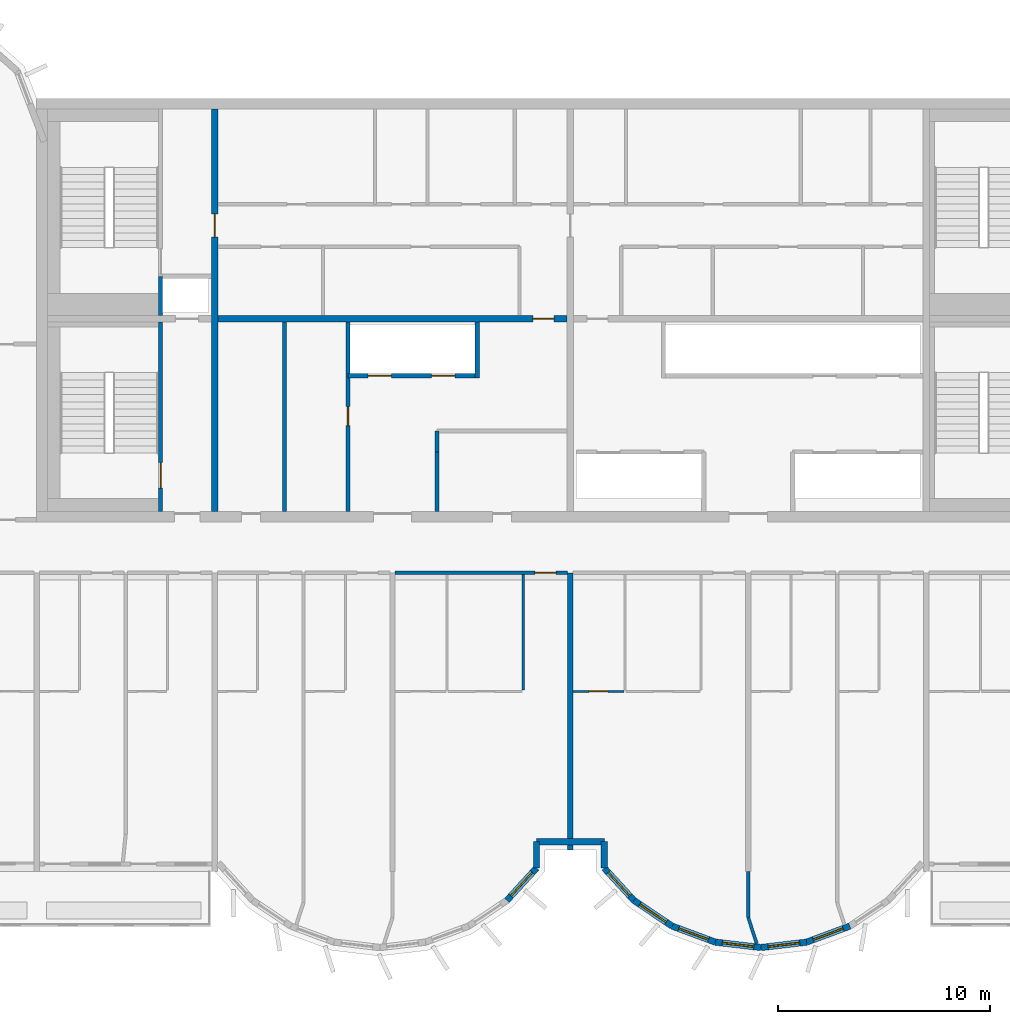
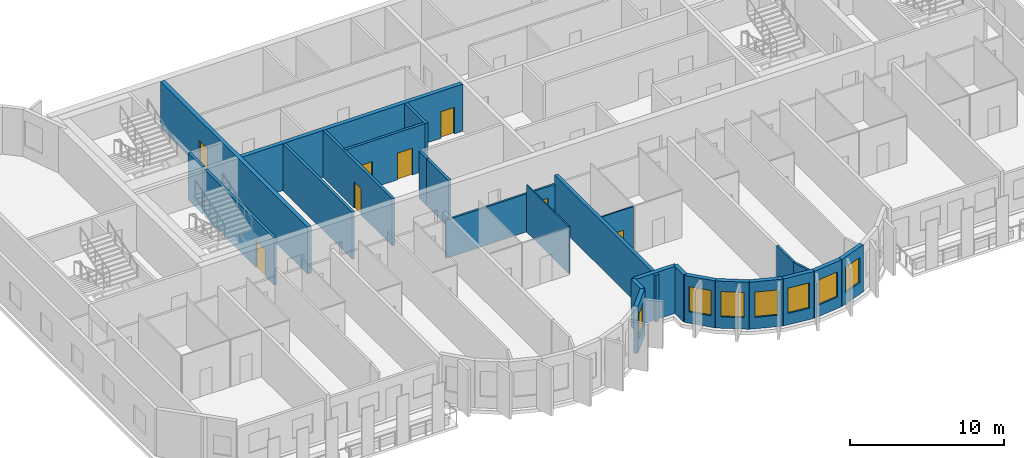
# One storey, part 4 of 12: 26 walls, 8 doors, 7 windows, 15 openings.
"""IFC4 building model written with IfcOpenShell, lengths in metres."""

from ifc_helpers import new_model, si_unit, direction, frame, frame_2d, origin, place, context, subcontext, project, spatial, rectangle, extrude, source, transform, mapped, material, layer, layer_set, type_object, element, fill, save


model = new_model("IFC4")

# Units and contexts
model_context = context("Model", 3, precision=1e-05, world=origin(), true_north=direction((0.0, 1.0)))
body_context = subcontext(model_context, "Body", "Model", "MODEL_VIEW")
ifc_project = project(units=[si_unit("LENGTHUNIT", "METRE"), si_unit("AREAUNIT", "SQUARE_METRE"), si_unit("VOLUMEUNIT", "CUBIC_METRE"), si_unit("PLANEANGLEUNIT", "RADIAN"), si_unit("MASSUNIT", "GRAM", prefix="KILO")], contexts=[model_context])

# Site, building, storey
site_placement = place(None, origin())
site = spatial("IfcSite", under=ifc_project, at=site_placement, CompositionType="ELEMENT")
building_placement = place(site_placement, origin())
building = spatial("IfcBuilding", under=site, at=building_placement, Name="Vanashikhar Sky Hotel", CompositionType="ELEMENT")
storey_placement = place(building_placement, frame((0.0, 0.0, 289.699951171875)))
storey = spatial("IfcBuildingStorey", under=building, at=storey_placement, Name="L69", CompositionType="ELEMENT", Elevation=289.699951171875)

# Wall, opening, door
ifc_material_1 = material(Name="Concrete M50", Category="concrete")
ifc_layer_1 = layer(ifc_material_1, 0.300048828125)
ifc_layer_set_1 = layer_set([ifc_layer_1], Name="RC core inner wall 300 Concrete M50")
wall_type_1 = type_object("IfcWallType", Name="RC core inner wall 300 Concrete M50", PredefinedType="SHEAR", material=ifc_layer_set_1)
shared_shape_1 = source(origin(), body_context, "Body", "SweptSolid", [
    extrude(rectangle(XDim=19.0, YDim=0.300048828125, at=frame_2d((9.5, 0.0))), origin(), (0.0, 0.0, 1.0), 3.719970703125),
])
wall_1_placement = place(storey_placement, frame((33.60009765625, 22.5, 0.0), z_axis=(0.0, 0.0, 1.0), x_axis=(0.0, 1.0, 0.0)))
wall_1 = element("IfcWall", 1, at=wall_1_placement, inside=storey, type_object=wall_type_1, Name="KW-L69-KX1", PredefinedType="SHEAR", context=body_context, shape_type="MappedRepresentation", body=[
    mapped(shared_shape_1, transform((0.0, 0.0, 0.0), scale=1.0)),
])
shared_shape_2 = source(origin(), body_context, "Body", "SweptSolid", [
    extrude(rectangle(XDim=1.10009765625, YDim=2.10009765625, at=frame_2d((0.550048828125, 1.050048828125))), frame((0.0, 0.16015625, 0.0), z_axis=(0.0, -1.0, 0.0), x_axis=(1.0, 0.0, 0.0)), (0.0, 0.0, 1.0), 0.320068359375),
])
opening_1_placement = place(wall_1_placement, frame((12.949951171875, 0.0, 0.0)))
opening_1 = element("IfcOpeningElement", 2, at=opening_1_placement, cuts=wall_1, Name="Opening DC-4-C", PredefinedType="OPENING", context=body_context, shape_type="MappedRepresentation", body=[
    mapped(shared_shape_2, transform((0.0, 0.0, 0.0), scale=1.0)),
])
ifc_material_2 = material(Name="Steel", Category="steel")
door_type_1 = type_object("IfcDoorType", Name="Service door 1100 FD60", OperationType="NOTDEFINED", PredefinedType="DOOR", material=ifc_material_2)
shared_shape_3 = source(origin(), body_context, "Body", "SweptSolid", [
    extrude(rectangle(XDim=1.10009765625, YDim=2.10009765625, at=frame_2d((0.550048828125, 1.050048828125))), frame((0.0, 0.02490234375, 0.0), z_axis=(0.0, -1.0, 0.0), x_axis=(1.0, 0.0, 0.0)), (0.0, 0.0, 1.0), 0.050048828125),
])
door_1_placement = place(opening_1_placement, origin())
door_1 = element("IfcDoor", 3, at=door_1_placement, inside=storey, type_object=door_type_1, Name="Service door 1100 FD60", OperationType="SINGLE_SWING_LEFT", OverallHeight=2.10009765625, OverallWidth=1.10009765625, PredefinedType="DOOR", context=body_context, shape_type="MappedRepresentation", body=[
    mapped(shared_shape_3, transform((0.0, 0.0, 0.0), scale=1.0)),
])
fill(opening_1, door_1)

shared_shape_4 = source(origin(), body_context, "Body", "SweptSolid", [
    extrude(rectangle(XDim=16.5, YDim=0.300048828125, at=frame_2d((8.25, 0.0))), origin(), (0.0, 0.0, 1.0), 3.719970703125),
])
wall_2_placement = place(storey_placement, frame((33.75, 31.60009765625, 0.0), z_axis=(0.0, 0.0, 1.0), x_axis=(1.0, 0.0, 0.0)))
wall_2 = element("IfcWall", 4, at=wall_2_placement, inside=storey, type_object=wall_type_1, Name="KW-L69-KY2", PredefinedType="SHEAR", context=body_context, shape_type="MappedRepresentation", body=[
    mapped(shared_shape_4, transform((0.0, 0.0, 0.0), scale=1.0)),
])
shared_shape_5 = source(origin(), body_context, "Body", "SweptSolid", [
    extrude(rectangle(XDim=1.0, YDim=2.10009765625, at=frame_2d((0.5, 1.050048828125))), frame((0.0, 0.16015625, 0.0), z_axis=(0.0, -1.0, 0.0), x_axis=(1.0, 0.0, 0.0)), (0.0, 0.0, 1.0), 0.320068359375),
])
opening_2_placement = place(wall_2_placement, frame((14.875, 0.0, 0.0)))
opening_2 = element("IfcOpeningElement", 5, at=opening_2_placement, cuts=wall_2, Name="Opening DC-4", PredefinedType="OPENING", context=body_context, shape_type="MappedRepresentation", body=[
    mapped(shared_shape_5, transform((0.0, 0.0, 0.0), scale=1.0)),
])
door_type_2 = type_object("IfcDoorType", Name="Service door 1000 FD60", OperationType="NOTDEFINED", PredefinedType="DOOR", material=ifc_material_2)
shared_shape_6 = source(origin(), body_context, "Body", "SweptSolid", [
    extrude(rectangle(XDim=1.0, YDim=2.10009765625, at=frame_2d((0.5, 1.050048828125))), frame((0.0, 0.02490234375, 0.0), z_axis=(0.0, -1.0, 0.0), x_axis=(1.0, 0.0, 0.0)), (0.0, 0.0, 1.0), 0.050048828125),
])
door_2_placement = place(opening_2_placement, origin())
door_2 = element("IfcDoor", 6, at=door_2_placement, inside=storey, type_object=door_type_2, Name="Service door 1000 FD60", OperationType="SINGLE_SWING_LEFT", OverallHeight=2.10009765625, OverallWidth=1.0, PredefinedType="DOOR", context=body_context, shape_type="MappedRepresentation", body=[
    mapped(shared_shape_6, transform((0.0, 0.0, 0.0), scale=1.0)),
])
fill(opening_2, door_2)

# Wall
ifc_layer_2 = layer(ifc_material_1, 0.25)
ifc_layer_set_2 = layer_set([ifc_layer_2], Name="RC shear wall 250 Concrete M50")
wall_type_2 = type_object("IfcWallType", Name="RC shear wall 250 Concrete M50", PredefinedType="SHEAR", material=ifc_layer_set_2)
shared_shape_7 = source(origin(), body_context, "Body", "SweptSolid", [
    extrude(rectangle(XDim=13.10009765625, YDim=0.25, at=frame_2d((6.550048828125, 0.0))), origin(), (0.0, 0.0, 1.0), 3.719970703125),
])
wall_3_placement = place(storey_placement, frame((50.39990234375, 6.5, 0.0), z_axis=(0.0, 0.0, 1.0), x_axis=(0.0, 1.0, 0.0)))
element("IfcWall", 7, at=wall_3_placement, inside=storey, type_object=wall_type_2, Name="CW-L69-XW07-1", PredefinedType="SHEAR", context=body_context, shape_type="MappedRepresentation", body=[
    mapped(shared_shape_7, transform((0.0, 0.0, 0.0), scale=1.0)),
])

# Wall, opening, window
ifc_layer_3 = layer(ifc_material_1, 0.300048828125)
ifc_layer_set_3 = layer_set([ifc_layer_3], Name="Lobe wall 300")
wall_type_3 = type_object("IfcWallType", Name="Lobe wall 300", PredefinedType="SOLIDWALL", material=ifc_layer_set_3)
shared_shape_8 = source(origin(), body_context, "Body", "SweptSolid", [
    extrude(rectangle(XDim=2.17578125, YDim=0.300048828125, at=frame_2d((1.087890625, 0.0))), origin(), (0.0, 0.0, 1.0), 3.719970703125),
])
wall_4_placement = place(storey_placement, frame((53.395751953125, 4.13134765625, 0.0), z_axis=(0.0, 0.0, 1.0), x_axis=(0.829590746428, -0.558371913192, 0.0)))
wall_4 = element("IfcWall", 8, at=wall_4_placement, inside=storey, type_object=wall_type_3, Name="Lobe wall", PredefinedType="SOLIDWALL", context=body_context, shape_type="MappedRepresentation", body=[
    mapped(shared_shape_8, transform((0.0, 0.0, 0.0), scale=1.0)),
])
shared_shape_9 = source(origin(), body_context, "Body", "SweptSolid", [
    extrude(rectangle(XDim=1.5, YDim=2.0, at=frame_2d((0.75, 1.0))), frame((0.0, 0.16015625, 0.0), z_axis=(0.0, -1.0, 0.0), x_axis=(1.0, 0.0, 0.0)), (0.0, 0.0, 1.0), 0.320068359375),
])
opening_3_placement = place(wall_4_placement, frame((0.337890625, 0.0, 0.89990234375)))
opening_3 = element("IfcOpeningElement", 9, at=opening_3_placement, cuts=wall_4, Name="Opening WN-2", PredefinedType="OPENING", context=body_context, shape_type="MappedRepresentation", body=[
    mapped(shared_shape_9, transform((0.0, 0.0, 0.0), scale=1.0)),
])
ifc_material_3 = material(Name="Glass", Category="glass")
window_type = type_object("IfcWindowType", Name="Lobe window 1500 x 2000", PartitioningType="SINGLE_PANEL", PredefinedType="WINDOW", material=ifc_material_3)
shared_shape_10 = source(origin(), body_context, "Body", "SweptSolid", [
    extrude(rectangle(XDim=1.5, YDim=2.0, at=frame_2d((0.75, 1.0))), frame((0.0, 0.030029296875, 0.0), z_axis=(0.0, -1.0, 0.0), x_axis=(1.0, 0.0, 0.0)), (0.0, 0.0, 1.0), 0.06005859375),
])
window_1_placement = place(opening_3_placement, origin())
window_1 = element("IfcWindow", 10, at=window_1_placement, inside=storey, type_object=window_type, Name="Window WN-2", OverallHeight=2.0, OverallWidth=1.5, PartitioningType="SINGLE_PANEL", PredefinedType="WINDOW", context=body_context, shape_type="MappedRepresentation", body=[
    mapped(shared_shape_10, transform((0.0, 0.0, 0.0), scale=1.0)),
])
fill(opening_3, window_1)

wall_5_placement = place(storey_placement, frame((55.20068359375, 2.91650390625, 0.0), z_axis=(0.0, 0.0, 1.0), x_axis=(0.93754555999, -0.347862505801, 0.0)))
wall_5 = element("IfcWall", 11, at=wall_5_placement, inside=storey, type_object=wall_type_3, Name="Lobe wall", PredefinedType="SOLIDWALL", context=body_context, shape_type="MappedRepresentation", body=[
    mapped(shared_shape_8, transform((0.0, 0.0, 0.0), scale=1.0)),
])
opening_4_placement = place(wall_5_placement, frame((0.337890625, 0.0, 0.89990234375)))
opening_4 = element("IfcOpeningElement", 12, at=opening_4_placement, cuts=wall_5, Name="Opening WN-2", PredefinedType="OPENING", context=body_context, shape_type="MappedRepresentation", body=[
    mapped(shared_shape_9, transform((0.0, 0.0, 0.0), scale=1.0)),
])
window_2_placement = place(opening_4_placement, origin())
window_2 = element("IfcWindow", 13, at=window_2_placement, inside=storey, type_object=window_type, Name="Window WN-2", OverallHeight=2.0, OverallWidth=1.5, PartitioningType="SINGLE_PANEL", PredefinedType="WINDOW", context=body_context, shape_type="MappedRepresentation", body=[
    mapped(shared_shape_10, transform((0.0, 0.0, 0.0), scale=1.0)),
])
fill(opening_4, window_2)

shared_shape_11 = source(origin(), body_context, "Body", "SweptSolid", [
    extrude(rectangle(XDim=2.174560546875, YDim=0.300048828125, at=frame_2d((1.08740234375, 0.0))), origin(), (0.0, 0.0, 1.0), 3.719970703125),
])
wall_6_placement = place(storey_placement, frame((57.240478515625, 2.15966796875, 0.0), z_axis=(0.0, 0.0, 1.0), x_axis=(0.993001132889, -0.118104826659, 0.0)))
wall_6 = element("IfcWall", 14, at=wall_6_placement, inside=storey, type_object=wall_type_3, Name="Lobe wall", PredefinedType="SOLIDWALL", context=body_context, shape_type="MappedRepresentation", body=[
    mapped(shared_shape_11, transform((0.0, 0.0, 0.0), scale=1.0)),
])
opening_5_placement = place(wall_6_placement, frame((0.33740234375, 0.0, 0.89990234375)))
opening_5 = element("IfcOpeningElement", 15, at=opening_5_placement, cuts=wall_6, Name="Opening WN-2", PredefinedType="OPENING", context=body_context, shape_type="MappedRepresentation", body=[
    mapped(shared_shape_9, transform((0.0, 0.0, 0.0), scale=1.0)),
])
window_3_placement = place(opening_5_placement, origin())
window_3 = element("IfcWindow", 16, at=window_3_placement, inside=storey, type_object=window_type, Name="Window WN-2", OverallHeight=2.0, OverallWidth=1.5, PartitioningType="SINGLE_PANEL", PredefinedType="WINDOW", context=body_context, shape_type="MappedRepresentation", body=[
    mapped(shared_shape_10, transform((0.0, 0.0, 0.0), scale=1.0)),
])
fill(opening_5, window_3)

shared_shape_12 = source(origin(), body_context, "Body", "SweptSolid", [
    extrude(rectangle(XDim=2.1748046875, YDim=0.300048828125, at=frame_2d((1.08740234375, 0.0))), origin(), (0.0, 0.0, 1.0), 3.719970703125),
])
wall_7_placement = place(storey_placement, frame((59.39990234375, 1.90283203125, 0.0), z_axis=(0.0, 0.0, 1.0), x_axis=(0.993002698611, 0.118091661648, 0.0)))
wall_7 = element("IfcWall", 17, at=wall_7_placement, inside=storey, type_object=wall_type_3, Name="Lobe wall", PredefinedType="SOLIDWALL", context=body_context, shape_type="MappedRepresentation", body=[
    mapped(shared_shape_12, transform((0.0, 0.0, 0.0), scale=1.0)),
])
opening_6_placement = place(wall_7_placement, frame((0.33740234375, 0.0, 0.89990234375)))
opening_6 = element("IfcOpeningElement", 18, at=opening_6_placement, cuts=wall_7, Name="Opening WN-2", PredefinedType="OPENING", context=body_context, shape_type="MappedRepresentation", body=[
    mapped(shared_shape_9, transform((0.0, 0.0, 0.0), scale=1.0)),
])
window_4_placement = place(opening_6_placement, origin())
window_4 = element("IfcWindow", 19, at=window_4_placement, inside=storey, type_object=window_type, Name="Window WN-2", OverallHeight=2.0, OverallWidth=1.5, PartitioningType="SINGLE_PANEL", PredefinedType="WINDOW", context=body_context, shape_type="MappedRepresentation", body=[
    mapped(shared_shape_10, transform((0.0, 0.0, 0.0), scale=1.0)),
])
fill(opening_6, window_4)

shared_shape_13 = source(origin(), body_context, "Body", "SweptSolid", [
    extrude(rectangle(XDim=2.175537109375, YDim=0.300048828125, at=frame_2d((1.087890625, 0.0))), origin(), (0.0, 0.0, 1.0), 3.719970703125),
])
wall_8_placement = place(storey_placement, frame((61.5595703125, 2.15966796875, 0.0), z_axis=(0.0, 0.0, 1.0), x_axis=(0.937531979054, 0.347899106424, 0.0)))
wall_8 = element("IfcWall", 20, at=wall_8_placement, inside=storey, type_object=wall_type_3, Name="Lobe wall", PredefinedType="SOLIDWALL", context=body_context, shape_type="MappedRepresentation", body=[
    mapped(shared_shape_13, transform((0.0, 0.0, 0.0), scale=1.0)),
])
opening_7_placement = place(wall_8_placement, frame((0.337890625, 0.0, 0.89990234375)))
opening_7 = element("IfcOpeningElement", 21, at=opening_7_placement, cuts=wall_8, Name="Opening WN-2", PredefinedType="OPENING", context=body_context, shape_type="MappedRepresentation", body=[
    mapped(shared_shape_9, transform((0.0, 0.0, 0.0), scale=1.0)),
])
window_5_placement = place(opening_7_placement, origin())
window_5 = element("IfcWindow", 22, at=window_5_placement, inside=storey, type_object=window_type, Name="Window WN-2", OverallHeight=2.0, OverallWidth=1.5, PartitioningType="SINGLE_PANEL", PredefinedType="WINDOW", context=body_context, shape_type="MappedRepresentation", body=[
    mapped(shared_shape_10, transform((0.0, 0.0, 0.0), scale=1.0)),
])
fill(opening_7, window_5)

shared_shape_14 = source(origin(), body_context, "Body", "SweptSolid", [
    extrude(rectangle(XDim=2.066650390625, YDim=0.300048828125, at=frame_2d((1.033203125, 0.0))), origin(), (0.0, 0.0, 1.0), 3.719970703125),
])
wall_9_placement = place(storey_placement, frame((47.404296875, 4.13134765625, 0.0), z_axis=(0.0, 0.0, 1.0), x_axis=(0.675355439877, 0.737492393065, 0.0)))
wall_9 = element("IfcWall", 23, at=wall_9_placement, inside=storey, type_object=wall_type_3, Name="Lobe wall", PredefinedType="SOLIDWALL", context=body_context, shape_type="MappedRepresentation", body=[
    mapped(shared_shape_14, transform((0.0, 0.0, 0.0), scale=1.0)),
])
opening_8_placement = place(wall_9_placement, frame((0.283447265625, 0.0, 0.89990234375)))
opening_8 = element("IfcOpeningElement", 24, at=opening_8_placement, cuts=wall_9, Name="Opening WN-2", PredefinedType="OPENING", context=body_context, shape_type="MappedRepresentation", body=[
    mapped(shared_shape_9, transform((0.0, 0.0, 0.0), scale=1.0)),
])
window_6_placement = place(opening_8_placement, origin())
window_6 = element("IfcWindow", 25, at=window_6_placement, inside=storey, type_object=window_type, Name="Window WN-2", OverallHeight=2.0, OverallWidth=1.5, PartitioningType="SINGLE_PANEL", PredefinedType="WINDOW", context=body_context, shape_type="MappedRepresentation", body=[
    mapped(shared_shape_10, transform((0.0, 0.0, 0.0), scale=1.0)),
])
fill(opening_8, window_6)

wall_10_placement = place(storey_placement, frame((52.0, 5.655517578125, 0.0), z_axis=(0.0, 0.0, 1.0), x_axis=(0.675355439877, -0.737492393065, 0.0)))
wall_10 = element("IfcWall", 26, at=wall_10_placement, inside=storey, type_object=wall_type_3, Name="Lobe wall", PredefinedType="SOLIDWALL", context=body_context, shape_type="MappedRepresentation", body=[
    mapped(shared_shape_14, transform((0.0, 0.0, 0.0), scale=1.0)),
])
opening_9_placement = place(wall_10_placement, frame((0.283447265625, 0.0, 0.89990234375)))
opening_9 = element("IfcOpeningElement", 27, at=opening_9_placement, cuts=wall_10, Name="Opening WN-2", PredefinedType="OPENING", context=body_context, shape_type="MappedRepresentation", body=[
    mapped(shared_shape_9, transform((0.0, 0.0, 0.0), scale=1.0)),
])
window_7_placement = place(opening_9_placement, origin())
window_7 = element("IfcWindow", 28, at=window_7_placement, inside=storey, type_object=window_type, Name="Window WN-2", OverallHeight=2.0, OverallWidth=1.5, PartitioningType="SINGLE_PANEL", PredefinedType="WINDOW", context=body_context, shape_type="MappedRepresentation", body=[
    mapped(shared_shape_10, transform((0.0, 0.0, 0.0), scale=1.0)),
])
fill(opening_9, window_7)

# Walls
shared_shape_15 = source(origin(), body_context, "Body", "SweptSolid", [
    extrude(rectangle(XDim=1.244384765625, YDim=0.300048828125, at=frame_2d((0.6220703125, 0.0))), origin(), (0.0, 0.0, 1.0), 3.719970703125),
])
for number, where, z_axis, x_axis, name in (
    (29, (48.800048828125, 5.655517578125, 0.0), (0.0, 0.0, 1.0), (0.0, 1.0, 0.0), "Groove wall"),
    (30, (52.0, 6.89990234375, 0.0), (0.0, 0.0, 1.0), (0.0, -1.0, 0.0), "Groove wall"),
):
    element("IfcWall", number, at=place(storey_placement, frame(where, z_axis=z_axis, x_axis=x_axis)), inside=storey, type_object=wall_type_3, Name=name, PredefinedType="SOLIDWALL", context=body_context, shape_type="MappedRepresentation", body=[
        mapped(shared_shape_15, transform((0.0, 0.0, 0.0), scale=1.0)),
    ])
shared_shape_16 = source(origin(), body_context, "Body", "SweptSolid", [
    extrude(rectangle(XDim=3.199951171875, YDim=0.300048828125, at=frame_2d((1.60009765625, 0.0))), origin(), (0.0, 0.0, 1.0), 3.719970703125),
])
wall_11_placement = place(storey_placement, frame((48.800048828125, 6.89990234375, 0.0), z_axis=(0.0, 0.0, 1.0), x_axis=(1.0, 0.0, 0.0)))
element("IfcWall", 31, at=wall_11_placement, inside=storey, type_object=wall_type_3, Name="Groove wall", PredefinedType="SOLIDWALL", context=body_context, shape_type="MappedRepresentation", body=[
    mapped(shared_shape_16, transform((0.0, 0.0, 0.0), scale=1.0)),
])

# Wall, openings, doors
ifc_material_4 = material(Name="Concrete M40", Category="concrete")
ifc_layer_4 = layer(ifc_material_4, 0.199951171875)
ifc_layer_set_4 = layer_set([ifc_layer_4], Name="Shaft wall 200")
wall_type_4 = type_object("IfcWallType", Name="Shaft wall 200", PredefinedType="SOLIDWALL", material=ifc_layer_set_4)
shared_shape_17 = source(origin(), body_context, "Body", "SweptSolid", [
    extrude(rectangle(XDim=6.0, YDim=0.199951171875, at=frame_2d((3.0, 0.0))), origin(), (0.0, 0.0, 1.0), 3.719970703125),
])
wall_12_placement = place(storey_placement, frame((39.89990234375, 28.89990234375, 0.0), z_axis=(0.0, 0.0, 1.0), x_axis=(1.0, 0.0, 0.0)))
wall_12 = element("IfcWall", 32, at=wall_12_placement, inside=storey, type_object=wall_type_4, Name="Shaft wall 200", PredefinedType="SOLIDWALL", context=body_context, shape_type="MappedRepresentation", body=[
    mapped(shared_shape_17, transform((0.0, 0.0, 0.0), scale=1.0)),
])
shared_shape_18 = source(origin(), body_context, "Body", "SweptSolid", [
    extrude(rectangle(XDim=1.10009765625, YDim=2.10009765625, at=frame_2d((0.550048828125, 1.050048828125))), frame((0.0, 0.10986328125, 0.0), z_axis=(0.0, -1.0, 0.0), x_axis=(1.0, 0.0, 0.0)), (0.0, 0.0, 1.0), 0.219970703125),
])
opening_10_placement = place(wall_12_placement, frame((0.949951171875, 0.0, 0.0)))
opening_10 = element("IfcOpeningElement", 33, at=opening_10_placement, cuts=wall_12, Name="Opening LD", PredefinedType="OPENING", context=body_context, shape_type="MappedRepresentation", body=[
    mapped(shared_shape_18, transform((0.0, 0.0, 0.0), scale=1.0)),
])
opening_11_placement = place(wall_12_placement, frame((3.949951171875, 0.0, 0.0)))
opening_11 = element("IfcOpeningElement", 34, at=opening_11_placement, cuts=wall_12, Name="Opening LD", PredefinedType="OPENING", context=body_context, shape_type="MappedRepresentation", body=[
    mapped(shared_shape_18, transform((0.0, 0.0, 0.0), scale=1.0)),
])
ifc_material_5 = material(Name="Stainless steel", Category="steel")
door_type_3 = type_object("IfcDoorType", Name="Lift landing door 1100", OperationType="NOTDEFINED", PredefinedType="DOOR", material=ifc_material_5)
door_3_placement = place(opening_10_placement, origin())
door_3 = element("IfcDoor", 35, at=door_3_placement, inside=storey, type_object=door_type_3, Name="Lift landing door 1100", OperationType="SLIDING_TO_LEFT", OverallHeight=2.10009765625, OverallWidth=1.10009765625, PredefinedType="DOOR", context=body_context, shape_type="MappedRepresentation", body=[
    mapped(shared_shape_3, transform((0.0, 0.0, 0.0), scale=1.0)),
])
fill(opening_10, door_3)
door_4_placement = place(opening_11_placement, origin())
door_4 = element("IfcDoor", 36, at=door_4_placement, inside=storey, type_object=door_type_3, Name="Lift landing door 1100", OperationType="SLIDING_TO_RIGHT", OverallHeight=2.10009765625, OverallWidth=1.10009765625, PredefinedType="DOOR", context=body_context, shape_type="MappedRepresentation", body=[
    mapped(shared_shape_3, transform((0.0, 0.0, 0.0), scale=1.0)),
])
fill(opening_11, door_4)

# Wall, opening, door
ifc_material_6 = material(Name="Gypsum board partition")
ifc_layer_5 = layer(ifc_material_6, 0.14990234375)
ifc_layer_set_5 = layer_set([ifc_layer_5], Name="Service partition 150")
wall_type_5 = type_object("IfcWallType", Name="Service partition 150", PredefinedType="PARTITIONING", material=ifc_layer_set_5)
shared_shape_19 = source(origin(), body_context, "Body", "SweptSolid", [
    extrude(rectangle(XDim=8.949951171875, YDim=0.199951171875, at=frame_2d((4.47509765625, 0.0))), origin(), (0.0, 0.0, 1.0), 3.719970703125),
])
wall_13_placement = place(storey_placement, frame((39.89990234375, 22.5, 0.0), z_axis=(0.0, 0.0, 1.0), x_axis=(0.0, 1.0, 0.0)))
wall_13 = element("IfcWall", 37, at=wall_13_placement, inside=storey, type_object=wall_type_5, Name="Service partition 150", PredefinedType="PARTITIONING", context=body_context, shape_type="MappedRepresentation", body=[
    mapped(shared_shape_19, transform((0.0, 0.0, 0.0), scale=1.0)),
])
shared_shape_20 = source(origin(), body_context, "Body", "SweptSolid", [
    extrude(rectangle(XDim=0.89990234375, YDim=2.10009765625, at=frame_2d((0.449951171875, 1.050048828125))), frame((0.0, 0.10986328125, 0.0), z_axis=(0.0, -1.0, 0.0), x_axis=(1.0, 0.0, 0.0)), (0.0, 0.0, 1.0), 0.219970703125),
])
opening_12_placement = place(wall_13_placement, frame((4.050048828125, 0.0, 0.0)))
opening_12 = element("IfcOpeningElement", 38, at=opening_12_placement, cuts=wall_13, Name="Opening DC-4-A", PredefinedType="OPENING", context=body_context, shape_type="MappedRepresentation", body=[
    mapped(shared_shape_20, transform((0.0, 0.0, 0.0), scale=1.0)),
])
door_type_4 = type_object("IfcDoorType", Name="Service door 900 FD60", OperationType="NOTDEFINED", PredefinedType="DOOR", material=ifc_material_2)
shared_shape_21 = source(origin(), body_context, "Body", "SweptSolid", [
    extrude(rectangle(XDim=0.89990234375, YDim=2.10009765625, at=frame_2d((0.449951171875, 1.050048828125))), frame((0.0, 0.02490234375, 0.0), z_axis=(0.0, -1.0, 0.0), x_axis=(1.0, 0.0, 0.0)), (0.0, 0.0, 1.0), 0.050048828125),
])
door_5_placement = place(opening_12_placement, origin())
door_5 = element("IfcDoor", 39, at=door_5_placement, inside=storey, type_object=door_type_4, Name="Service door 900 FD60", OperationType="SINGLE_SWING_LEFT", OverallHeight=2.10009765625, OverallWidth=0.89990234375, PredefinedType="DOOR", context=body_context, shape_type="MappedRepresentation", body=[
    mapped(shared_shape_21, transform((0.0, 0.0, 0.0), scale=1.0)),
])
fill(opening_12, door_5)

# Walls
wall_14_placement = place(storey_placement, frame((36.89990234375, 22.5, 0.0), z_axis=(0.0, 0.0, 1.0), x_axis=(0.0, 1.0, 0.0)))
element("IfcWall", 40, at=wall_14_placement, inside=storey, type_object=wall_type_5, Name="Service partition 150", PredefinedType="PARTITIONING", context=body_context, shape_type="MappedRepresentation", body=[
    mapped(shared_shape_19, transform((0.0, 0.0, 0.0), scale=1.0)),
])
shared_shape_22 = source(origin(), body_context, "Body", "SweptSolid", [
    extrude(rectangle(XDim=2.800048828125, YDim=0.199951171875, at=frame_2d((1.39990234375, 0.0))), origin(), (0.0, 0.0, 1.0), 3.719970703125),
])
wall_15_placement = place(storey_placement, frame((44.10009765625, 22.5, 0.0), z_axis=(0.0, 0.0, 1.0), x_axis=(0.0, 1.0, 0.0)))
element("IfcWall", 41, at=wall_15_placement, inside=storey, type_object=wall_type_5, Name="Service partition 150", PredefinedType="PARTITIONING", context=body_context, shape_type="MappedRepresentation", body=[
    mapped(shared_shape_22, transform((0.0, 0.0, 0.0), scale=1.0)),
])
shared_shape_23 = source(origin(), body_context, "Body", "SweptSolid", [
    extrude(rectangle(XDim=2.64990234375, YDim=0.199951171875, at=frame_2d((1.324951171875, 0.0))), origin(), (0.0, 0.0, 1.0), 3.719970703125),
])
wall_16_placement = place(storey_placement, frame((46.0, 28.800048828125, 0.0), z_axis=(0.0, 0.0, 1.0), x_axis=(0.0, 1.0, 0.0)))
element("IfcWall", 42, at=wall_16_placement, inside=storey, type_object=wall_type_4, Name="Shaft wall 200", PredefinedType="SOLIDWALL", context=body_context, shape_type="MappedRepresentation", body=[
    mapped(shared_shape_23, transform((0.0, 0.0, 0.0), scale=1.0)),
])
shared_shape_24 = source(origin(), body_context, "Body", "SweptSolid", [
    extrude(rectangle(XDim=1.0, YDim=0.199951171875, at=frame_2d((0.5, 0.0))), origin(), (0.0, 0.0, 1.0), 3.719970703125),
])
wall_17_placement = place(storey_placement, frame((44.10009765625, 25.300048828125, 0.0), z_axis=(0.0, 0.0, 1.0), x_axis=(0.0, 1.0, 0.0)))
element("IfcWall", 43, at=wall_17_placement, inside=storey, type_object=wall_type_5, Name="Service partition 150", PredefinedType="PARTITIONING", context=body_context, shape_type="MappedRepresentation", body=[
    mapped(shared_shape_24, transform((0.0, 0.0, 0.0), scale=1.0)),
])

# Wall, opening, door
ifc_layer_6 = layer(ifc_material_1, 0.199951171875)
ifc_layer_set_6 = layer_set([ifc_layer_6], Name="Stair wall 200")
wall_type_6 = type_object("IfcWallType", Name="Stair wall 200", PredefinedType="SOLIDWALL", material=ifc_layer_set_6)
shared_shape_25 = source(origin(), body_context, "Body", "SweptSolid", [
    extrude(rectangle(XDim=8.949951171875, YDim=0.199951171875, at=frame_2d((4.47509765625, 0.0))), origin(), (0.0, 0.0, 1.0), 3.719970703125),
])
wall_18_placement = place(storey_placement, frame((31.050048828125, 22.5, 0.0), z_axis=(0.0, 0.0, 1.0), x_axis=(0.0, 1.0, 0.0)))
wall_18 = element("IfcWall", 44, at=wall_18_placement, inside=storey, type_object=wall_type_6, Name="Stair wall 200", PredefinedType="SOLIDWALL", context=body_context, shape_type="MappedRepresentation", body=[
    mapped(shared_shape_25, transform((0.0, 0.0, 0.0), scale=1.0)),
])
shared_shape_26 = source(origin(), body_context, "Body", "SweptSolid", [
    extrude(rectangle(XDim=1.199951171875, YDim=2.10009765625, at=frame_2d((0.60009765625, 1.050048828125))), frame((0.0, 0.10986328125, 0.0), z_axis=(0.0, -1.0, 0.0), x_axis=(1.0, 0.0, 0.0)), (0.0, 0.0, 1.0), 0.219970703125),
])
opening_13_placement = place(wall_18_placement, frame((1.10009765625, 0.0, 0.0)))
opening_13 = element("IfcOpeningElement", 45, at=opening_13_placement, cuts=wall_18, Name="Opening DC-1", PredefinedType="OPENING", context=body_context, shape_type="MappedRepresentation", body=[
    mapped(shared_shape_26, transform((0.0, 0.0, 0.0), scale=1.0)),
])
door_type_5 = type_object("IfcDoorType", Name="Stair door 1200 FD120", OperationType="NOTDEFINED", PredefinedType="DOOR", material=ifc_material_2)
shared_shape_27 = source(origin(), body_context, "Body", "SweptSolid", [
    extrude(rectangle(XDim=1.199951171875, YDim=2.10009765625, at=frame_2d((0.60009765625, 1.050048828125))), frame((0.0, 0.02490234375, 0.0), z_axis=(0.0, -1.0, 0.0), x_axis=(1.0, 0.0, 0.0)), (0.0, 0.0, 1.0), 0.050048828125),
])
door_6_placement = place(opening_13_placement, origin())
door_6 = element("IfcDoor", 46, at=door_6_placement, inside=storey, type_object=door_type_5, Name="Stair door 1200 FD120", OperationType="SINGLE_SWING_LEFT", OverallHeight=2.10009765625, OverallWidth=1.199951171875, PredefinedType="DOOR", context=body_context, shape_type="MappedRepresentation", body=[
    mapped(shared_shape_27, transform((0.0, 0.0, 0.0), scale=1.0)),
])
fill(opening_13, door_6)

# Wall
shared_shape_28 = source(origin(), body_context, "Body", "SweptSolid", [
    extrude(rectangle(XDim=1.85009765625, YDim=0.199951171875, at=frame_2d((0.925048828125, 0.0))), origin(), (0.0, 0.0, 1.0), 3.719970703125),
])
wall_19_placement = place(storey_placement, frame((31.050048828125, 31.75, 0.0), z_axis=(0.0, 0.0, 1.0), x_axis=(0.0, 1.0, 0.0)))
element("IfcWall", 47, at=wall_19_placement, inside=storey, type_object=wall_type_4, Name="Shaft wall 200", PredefinedType="SOLIDWALL", context=body_context, shape_type="MappedRepresentation", body=[
    mapped(shared_shape_28, transform((0.0, 0.0, 0.0), scale=1.0)),
])

# Wall, opening, door
ifc_material_7 = material(Name="Gypsum plasterboard partition")
ifc_layer_7 = layer(ifc_material_7, 0.14990234375)
ifc_layer_set_7 = layer_set([ifc_layer_7], Name="Corridor and demising partition 150")
wall_type_7 = type_object("IfcWallType", Name="Corridor and demising partition 150", PredefinedType="PARTITIONING", material=ifc_layer_set_7)
shared_shape_29 = source(origin(), body_context, "Body", "SweptSolid", [
    extrude(rectangle(XDim=8.14990234375, YDim=0.14990234375, at=frame_2d((4.074951171875, 0.0))), origin(), (0.0, 0.0, 1.0), 3.02001953125),
])
wall_20_placement = place(storey_placement, frame((42.125, 19.60009765625, 0.0), z_axis=(0.0, 0.0, 1.0), x_axis=(1.0, 0.0, 0.0)))
wall_20 = element("IfcWall", 48, at=wall_20_placement, inside=storey, type_object=wall_type_7, Name="W-L69-PW024", PredefinedType="PARTITIONING", context=body_context, shape_type="MappedRepresentation", body=[
    mapped(shared_shape_29, transform((0.0, 0.0, 0.0), scale=1.0)),
])
shared_shape_30 = source(origin(), body_context, "Body", "SweptSolid", [
    extrude(rectangle(XDim=1.0, YDim=2.10009765625, at=frame_2d((0.5, 1.050048828125))), frame((0.0, 0.0849609375, 0.0), z_axis=(0.0, -1.0, 0.0), x_axis=(1.0, 0.0, 0.0)), (0.0, 0.0, 1.0), 0.169921875),
])
opening_14_placement = place(wall_20_placement, frame((6.60009765625, 0.0, 0.0)))
opening_14 = element("IfcOpeningElement", 49, at=opening_14_placement, cuts=wall_20, Name="Opening D-01", PredefinedType="OPENING", context=body_context, shape_type="MappedRepresentation", body=[
    mapped(shared_shape_30, transform((0.0, 0.0, 0.0), scale=1.0)),
])
ifc_material_8 = material(Name="Timber fire door", Category="wood")
door_type_6 = type_object("IfcDoorType", Name="Guest entry door 1000 FD30S", OperationType="NOTDEFINED", PredefinedType="DOOR", material=ifc_material_8)
door_7_placement = place(opening_14_placement, origin())
door_7 = element("IfcDoor", 50, at=door_7_placement, inside=storey, type_object=door_type_6, Name="D-L69-014", OperationType="SINGLE_SWING_RIGHT", OverallHeight=2.10009765625, OverallWidth=1.0, PredefinedType="DOOR", context=body_context, shape_type="MappedRepresentation", body=[
    mapped(shared_shape_6, transform((0.0, 0.0, 0.0), scale=1.0)),
])
fill(opening_14, door_7)

# Walls
shared_shape_31 = source(origin(), body_context, "Body", "SweptSolid", [
    extrude(rectangle(XDim=2.177978515625, YDim=0.14990234375, at=frame_2d((1.0888671875, 0.0))), origin(), (0.0, 0.0, 1.0), 3.719970703125),
])
wall_21_placement = place(storey_placement, frame((58.800048828125, 3.322021484375, 0.0), z_axis=(0.0, 0.0, 1.0), x_axis=(0.0, 1.0, 0.0)))
element("IfcWall", 51, at=wall_21_placement, inside=storey, type_object=wall_type_7, Name="W-L69-PW048", PredefinedType="PARTITIONING", context=body_context, shape_type="MappedRepresentation", body=[
    mapped(shared_shape_31, transform((0.0, 0.0, 0.0), scale=1.0)),
])
shared_shape_32 = source(origin(), body_context, "Body", "SweptSolid", [
    extrude(rectangle(XDim=1.308349609375, YDim=0.14990234375, at=frame_2d((0.654296875, 0.0))), origin(), (0.0, 0.0, 1.0), 3.719970703125),
])
wall_22_placement = place(storey_placement, frame((59.201904296875, 2.076904296875, 0.0), z_axis=(0.0, 0.0, 1.0), x_axis=(-0.307144529633, 0.951662880392, 0.0)))
element("IfcWall", 52, at=wall_22_placement, inside=storey, type_object=wall_type_7, Name="W-L69-PW048B0", PredefinedType="PARTITIONING", context=body_context, shape_type="MappedRepresentation", body=[
    mapped(shared_shape_32, transform((0.0, 0.0, 0.0), scale=1.0)),
])
ifc_layer_8 = layer(ifc_material_7, 0.10009765625)
ifc_layer_set_8 = layer_set([ifc_layer_8], Name="Wet room partition 100")
wall_type_8 = type_object("IfcWallType", Name="Wet room partition 100", PredefinedType="PARTITIONING", material=ifc_layer_set_8)
shared_shape_33 = source(origin(), body_context, "Body", "SweptSolid", [
    extrude(rectangle(XDim=5.449951171875, YDim=0.10009765625, at=frame_2d((2.72509765625, 0.0))), origin(), (0.0, 0.0, 1.0), 3.719970703125),
])
wall_23_placement = place(storey_placement, frame((48.175048828125, 14.074951171875, 0.0), z_axis=(0.0, 0.0, 1.0), x_axis=(0.0, 1.0, 0.0)))
element("IfcWall", 53, at=wall_23_placement, inside=storey, type_object=wall_type_8, Name="W-L69-PW020", PredefinedType="PARTITIONING", context=body_context, shape_type="MappedRepresentation", body=[
    mapped(shared_shape_33, transform((0.0, 0.0, 0.0), scale=1.0)),
])

# Wall, opening, door
shared_shape_34 = source(origin(), body_context, "Body", "SweptSolid", [
    extrude(rectangle(XDim=2.400146484375, YDim=0.10009765625, at=frame_2d((1.2001953125, 0.0))), origin(), (0.0, 0.0, 1.0), 3.719970703125),
])
wall_24_placement = place(storey_placement, frame((50.52490234375, 14.0, 0.0), z_axis=(0.0, 0.0, 1.0), x_axis=(1.0, 0.0, 0.0)))
wall_24 = element("IfcWall", 54, at=wall_24_placement, inside=storey, type_object=wall_type_8, Name="W-L69-PW028", PredefinedType="PARTITIONING", context=body_context, shape_type="MappedRepresentation", body=[
    mapped(shared_shape_34, transform((0.0, 0.0, 0.0), scale=1.0)),
])
shared_shape_35 = source(origin(), body_context, "Body", "SweptSolid", [
    extrude(rectangle(XDim=0.89990234375, YDim=2.10009765625, at=frame_2d((0.449951171875, 1.050048828125))), frame((0.0, 0.06005859375, 0.0), z_axis=(0.0, -1.0, 0.0), x_axis=(1.0, 0.0, 0.0)), (0.0, 0.0, 1.0), 0.1201171875),
])
opening_15_placement = place(wall_24_placement, frame((0.75, 0.0, 0.0)))
opening_15 = element("IfcOpeningElement", 55, at=opening_15_placement, cuts=wall_24, Name="Opening D-02", PredefinedType="OPENING", context=body_context, shape_type="MappedRepresentation", body=[
    mapped(shared_shape_35, transform((0.0, 0.0, 0.0), scale=1.0)),
])
ifc_material_9 = material(Name="Timber door", Category="wood")
door_type_7 = type_object("IfcDoorType", Name="Internal door 900", OperationType="NOTDEFINED", PredefinedType="DOOR", material=ifc_material_9)
door_8_placement = place(opening_15_placement, origin())
door_8 = element("IfcDoor", 56, at=door_8_placement, inside=storey, type_object=door_type_7, Name="D-L69-016", OperationType="SINGLE_SWING_RIGHT", OverallHeight=2.10009765625, OverallWidth=0.89990234375, PredefinedType="DOOR", context=body_context, shape_type="MappedRepresentation", body=[
    mapped(shared_shape_21, transform((0.0, 0.0, 0.0), scale=1.0)),
])
fill(opening_15, door_8)

save(model, "model.ifc")
